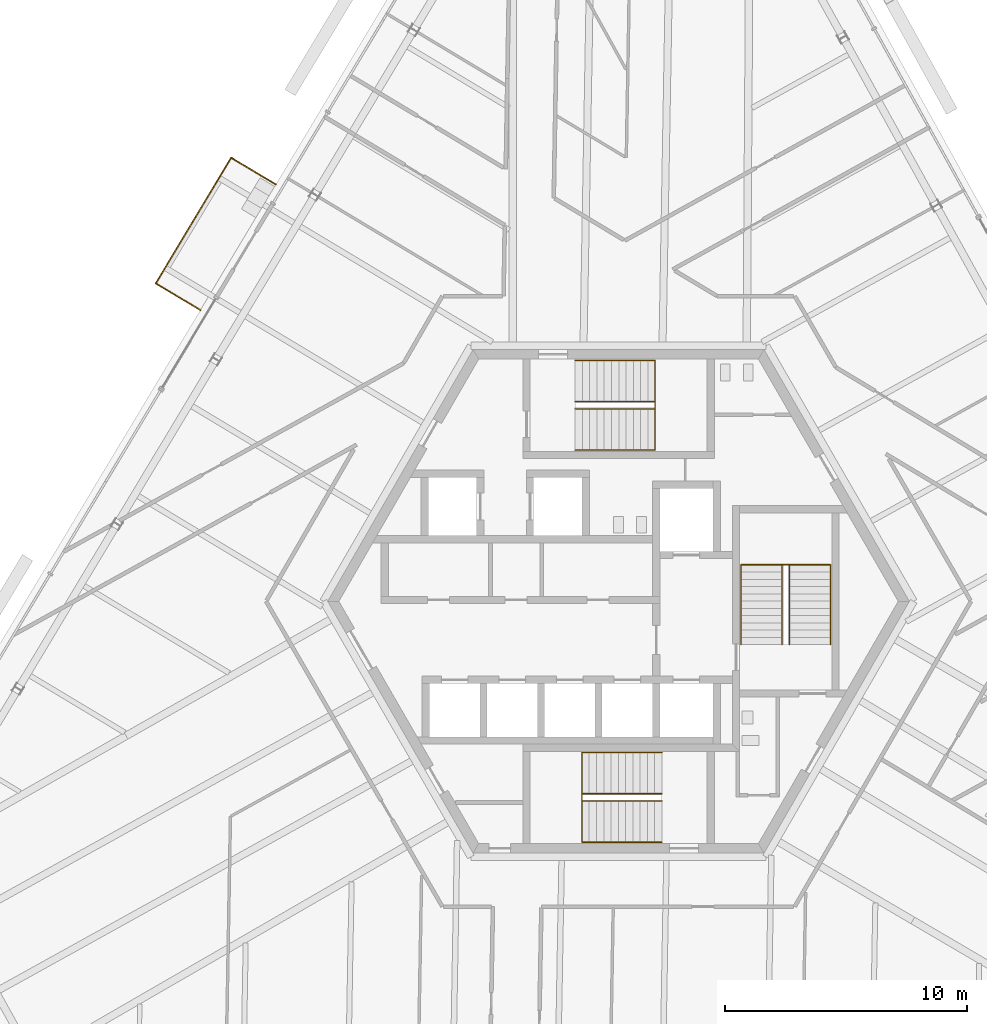
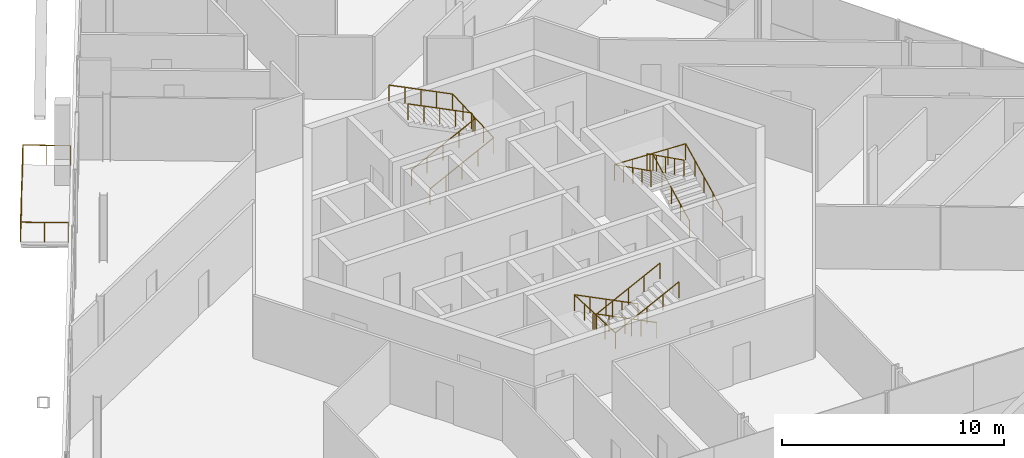
# One storey, part 16 of 19: 7 railings.
"""IFC4 building model written with IfcOpenShell, lengths in metres."""

from ifc_helpers import new_model, si_unit, direction, frame, origin, origin_2d, place, context, subcontext, project, spatial, circle, extrude, source, transform, mapped, material, type_object, element, save


model = new_model("IFC4")

# Units and contexts
model_context = context("Model", 3, precision=1e-05, world=origin(), true_north=direction((0.0, 1.0)))
body_context = subcontext(model_context, "Body", "Model", "MODEL_VIEW")
ifc_project = project(units=[si_unit("LENGTHUNIT", "METRE"), si_unit("AREAUNIT", "SQUARE_METRE"), si_unit("VOLUMEUNIT", "CUBIC_METRE"), si_unit("PLANEANGLEUNIT", "RADIAN"), si_unit("MASSUNIT", "GRAM", prefix="KILO")], contexts=[model_context])

# Site, building, storey
site_placement = place(None, origin())
site = spatial("IfcSite", under=ifc_project, at=site_placement, CompositionType="ELEMENT")
building_placement = place(site_placement, origin())
building = spatial("IfcBuilding", under=site, at=building_placement, Name="Triune Harvest Tower", CompositionType="ELEMENT")
storey_placement = place(building_placement, frame((0.0, 0.0, 205.10009765625)))
storey = spatial("IfcBuildingStorey", under=building, at=storey_placement, Name="L53", CompositionType="ELEMENT", Elevation=205.10009765625)

# Railings
ifc_material_1 = material(Name="Glass", Category="glass")
railing_type_1 = type_object("IfcRailingType", Name="GD-2 balcony guard 1100", PredefinedType="GUARDRAIL", material=ifc_material_1)
railing_1_placement = place(storey_placement, frame((-14.138427734375, 17.198974609375, 0.0)))
element("IfcRailing", 1, at=railing_1_placement, inside=storey, type_object=railing_type_1, Name="Balcony guard B5-F3 L53.5", PredefinedType="GUARDRAIL", context=body_context, shape_type="SweptSolid", body=[
    extrude(circle(Radius=0.02392578125, at=origin_2d()), frame((0.0, 0.0, 1.076171875), z_axis=(-0.857171813398, 0.515030564448, 0.0), x_axis=(-0.515030564448, -0.857171813398, 0.0)), (0.0, 0.0, 1.0), 2.14794921875),
    extrude(circle(Radius=0.02392578125, at=origin_2d()), frame((-1.841064453125, 1.106201171875, 1.076171875), z_axis=(-0.515041749203, -0.857165092953, 0.0), x_axis=(0.857165092953, -0.515041749203, 0.0)), (0.0, 0.0, 1.0), 6.048583984375),
    extrude(circle(Radius=0.02392578125, at=origin_2d()), frame((-4.956298828125, -4.078369140625, 1.076171875), z_axis=(0.857121631208, -0.51511407408, 0.0), x_axis=(0.51511407408, 0.857121631208, 0.0)), (0.0, 0.0, 1.0), 2.14794921875),
    extrude(circle(Radius=0.02099609375, at=origin_2d()), origin(), (0.0, 0.0, 1.0), 1.052001953125),
    extrude(circle(Radius=0.02099609375, at=origin_2d()), frame((-0.92041015625, 0.55322265625, 0.0)), (0.0, 0.0, 1.0), 1.052001953125),
    extrude(circle(Radius=0.02099609375, at=origin_2d()), frame((-1.841064453125, 1.106201171875, 0.0)), (0.0, 0.0, 1.0), 1.052001953125),
    extrude(circle(Radius=0.02099609375, at=origin_2d()), frame((-2.3603515625, 0.2421875, 0.0)), (0.0, 0.0, 1.0), 1.052001953125),
    extrude(circle(Radius=0.02099609375, at=origin_2d()), frame((-2.87939453125, -0.6220703125, 0.0)), (0.0, 0.0, 1.0), 1.052001953125),
    extrude(circle(Radius=0.02099609375, at=origin_2d()), frame((-3.398681640625, -1.486083984375, 0.0)), (0.0, 0.0, 1.0), 1.052001953125),
    extrude(circle(Radius=0.02099609375, at=origin_2d()), frame((-3.91796875, -2.35009765625, 0.0)), (0.0, 0.0, 1.0), 1.052001953125),
    extrude(circle(Radius=0.02099609375, at=origin_2d()), frame((-4.43701171875, -3.21435546875, 0.0)), (0.0, 0.0, 1.0), 1.052001953125),
    extrude(circle(Radius=0.02099609375, at=origin_2d()), frame((-4.956298828125, -4.078369140625, 0.0)), (0.0, 0.0, 1.0), 1.052001953125),
    extrude(circle(Radius=0.02099609375, at=origin_2d()), frame((-4.03564453125, -4.631591796875, 0.0)), (0.0, 0.0, 1.0), 1.052001953125),
    extrude(circle(Radius=0.02099609375, at=origin_2d()), frame((-3.115234375, -5.184814453125, 0.0)), (0.0, 0.0, 1.0), 1.052001953125),
])
ifc_material_2 = material(Name="Stainless steel AISI 316", Category="steel")
railing_type_2 = type_object("IfcRailingType", Name="Stair handrail", PredefinedType="HANDRAIL", material=ifc_material_2)
shared_shape_1 = source(origin(), body_context, "Body", "SweptSolid", [
    extrude(circle(Radius=0.02392578125, at=origin_2d()), frame((0.0, 0.0, 0.8759765625), z_axis=(0.894440424912, 0.0, 0.447187126696), x_axis=(0.0, 1.0, 0.0)), (0.0, 0.0, 1.0), 3.689453125),
    extrude(circle(Radius=0.02392578125, at=origin_2d()), frame((3.300048828125, 0.0, 2.52587890625), z_axis=(0.0, 0.999177620331, 0.040547293732), x_axis=(-1.0, 0.0, 0.0)), (0.0, 0.0, 1.0), 3.702880859375),
    extrude(circle(Radius=0.02392578125, at=origin_2d()), frame((3.300048828125, 3.699951171875, 2.67578125), z_axis=(-0.894440424912, 0.0, 0.447187126696), x_axis=(0.0, -1.0, 0.0)), (0.0, 0.0, 1.0), 3.689453125),
    extrude(circle(Radius=0.02099609375, at=origin_2d()), origin(), (0.0, 0.0, 1.0), 0.851806640625),
    extrude(circle(Radius=0.02099609375, at=origin_2d()), frame((0.824951171875, 0.0, 0.41259765625)), (0.0, 0.0, 1.0), 0.851806640625),
    extrude(circle(Radius=0.02099609375, at=origin_2d()), frame((1.64990234375, 0.0, 0.824951171875)), (0.0, 0.0, 1.0), 0.851806640625),
    extrude(circle(Radius=0.02099609375, at=origin_2d()), frame((2.47509765625, 0.0, 1.2373046875)), (0.0, 0.0, 1.0), 0.851806640625),
    extrude(circle(Radius=0.02099609375, at=origin_2d()), frame((3.300048828125, 0.0, 1.64990234375)), (0.0, 0.0, 1.0), 0.851806640625),
    extrude(circle(Radius=0.02099609375, at=origin_2d()), frame((3.300048828125, 0.925048828125, 1.6875)), (0.0, 0.0, 1.0), 0.851806640625),
    extrude(circle(Radius=0.02099609375, at=origin_2d()), frame((3.300048828125, 1.85009765625, 1.72509765625)), (0.0, 0.0, 1.0), 0.851806640625),
    extrude(circle(Radius=0.02099609375, at=origin_2d()), frame((3.300048828125, 2.77490234375, 1.762451171875)), (0.0, 0.0, 1.0), 0.851806640625),
    extrude(circle(Radius=0.02099609375, at=origin_2d()), frame((3.300048828125, 3.699951171875, 1.800048828125)), (0.0, 0.0, 1.0), 0.851806640625),
    extrude(circle(Radius=0.02099609375, at=origin_2d()), frame((2.47509765625, 3.699951171875, 2.21240234375)), (0.0, 0.0, 1.0), 0.851806640625),
    extrude(circle(Radius=0.02099609375, at=origin_2d()), frame((1.64990234375, 3.699951171875, 2.625)), (0.0, 0.0, 1.0), 0.851806640625),
    extrude(circle(Radius=0.02099609375, at=origin_2d()), frame((0.824951171875, 3.699951171875, 3.03759765625)), (0.0, 0.0, 1.0), 0.851806640625),
    extrude(circle(Radius=0.02099609375, at=origin_2d()), frame((0.0, 3.699951171875, 3.449951171875)), (0.0, 0.0, 1.0), 0.851806640625),
])
railing_2_placement = place(storey_placement, frame((-1.7900390625, 6.239990234375, 0.14990234375)))
element("IfcRailing", 2, at=railing_2_placement, inside=storey, type_object=railing_type_2, Name="Exit stair north wall handrail", PredefinedType="HANDRAIL", context=body_context, shape_type="MappedRepresentation", body=[
    mapped(shared_shape_1, transform((0.0, 0.0, 0.0), scale=1.0)),
])
shared_shape_2 = source(origin(), body_context, "Body", "SweptSolid", [
    extrude(circle(Radius=0.02392578125, at=origin_2d()), frame((0.0, 0.0, 0.8759765625), z_axis=(0.894440424912, 0.0, 0.447187126696), x_axis=(0.0, 1.0, 0.0)), (0.0, 0.0, 1.0), 3.689453125),
    extrude(circle(Radius=0.02392578125, at=origin_2d()), frame((3.300048828125, 0.0, 2.52587890625), z_axis=(0.0, 0.894281613681, 0.447504631744), x_axis=(-1.0, 0.0, 0.0)), (0.0, 0.0, 1.0), 0.33544921875),
    extrude(circle(Radius=0.02392578125, at=origin_2d()), frame((3.300048828125, 0.300048828125, 2.67578125), z_axis=(-0.894440424912, 0.0, 0.447187126696), x_axis=(0.0, -1.0, 0.0)), (0.0, 0.0, 1.0), 3.689453125),
    extrude(circle(Radius=0.02099609375, at=origin_2d()), origin(), (0.0, 0.0, 1.0), 0.851806640625),
    extrude(circle(Radius=0.02099609375, at=origin_2d()), frame((0.824951171875, 0.0, 0.41259765625)), (0.0, 0.0, 1.0), 0.851806640625),
    extrude(circle(Radius=0.02099609375, at=origin_2d()), frame((1.64990234375, 0.0, 0.824951171875)), (0.0, 0.0, 1.0), 0.851806640625),
    extrude(circle(Radius=0.02099609375, at=origin_2d()), frame((2.47509765625, 0.0, 1.2373046875)), (0.0, 0.0, 1.0), 0.851806640625),
    extrude(circle(Radius=0.02099609375, at=origin_2d()), frame((3.300048828125, 0.0, 1.64990234375)), (0.0, 0.0, 1.0), 0.851806640625),
    extrude(circle(Radius=0.02099609375, at=origin_2d()), frame((3.300048828125, 0.300048828125, 1.800048828125)), (0.0, 0.0, 1.0), 0.851806640625),
    extrude(circle(Radius=0.02099609375, at=origin_2d()), frame((2.47509765625, 0.300048828125, 2.21240234375)), (0.0, 0.0, 1.0), 0.851806640625),
    extrude(circle(Radius=0.02099609375, at=origin_2d()), frame((1.64990234375, 0.300048828125, 2.625)), (0.0, 0.0, 1.0), 0.851806640625),
    extrude(circle(Radius=0.02099609375, at=origin_2d()), frame((0.824951171875, 0.300048828125, 3.03759765625)), (0.0, 0.0, 1.0), 0.851806640625),
    extrude(circle(Radius=0.02099609375, at=origin_2d()), frame((0.0, 0.300048828125, 3.449951171875)), (0.0, 0.0, 1.0), 0.851806640625),
])
railing_3_placement = place(storey_placement, frame((-1.7900390625, 7.93994140625, 0.14990234375)))
element("IfcRailing", 3, at=railing_3_placement, inside=storey, type_object=railing_type_2, Name="Exit stair north centre handrail", PredefinedType="HANDRAIL", context=body_context, shape_type="MappedRepresentation", body=[
    mapped(shared_shape_2, transform((0.0, 0.0, 0.0), scale=1.0)),
])
shared_shape_3 = source(origin(), body_context, "Body", "SweptSolid", [
    extrude(circle(Radius=0.02392578125, at=origin_2d()), frame((0.0, 0.0, 0.8759765625), z_axis=(-0.894440424912, 0.0, 0.447187126696), x_axis=(0.0, -1.0, 0.0)), (0.0, 0.0, 1.0), 3.689453125),
    extrude(circle(Radius=0.02392578125, at=origin_2d()), frame((-3.300048828125, 0.0, 2.52587890625), z_axis=(0.0, -0.999177620331, 0.040547293732), x_axis=(1.0, 0.0, 0.0)), (0.0, 0.0, 1.0), 3.702880859375),
    extrude(circle(Radius=0.02392578125, at=origin_2d()), frame((-3.300048828125, -3.699951171875, 2.67578125), z_axis=(0.894440424912, 0.0, 0.447187126696), x_axis=(0.0, 1.0, 0.0)), (0.0, 0.0, 1.0), 3.689453125),
    extrude(circle(Radius=0.02099609375, at=origin_2d()), origin(), (0.0, 0.0, 1.0), 0.851806640625),
    extrude(circle(Radius=0.02099609375, at=origin_2d()), frame((-0.824951171875, 0.0, 0.41259765625)), (0.0, 0.0, 1.0), 0.851806640625),
    extrude(circle(Radius=0.02099609375, at=origin_2d()), frame((-1.64990234375, 0.0, 0.824951171875)), (0.0, 0.0, 1.0), 0.851806640625),
    extrude(circle(Radius=0.02099609375, at=origin_2d()), frame((-2.47509765625, 0.0, 1.2373046875)), (0.0, 0.0, 1.0), 0.851806640625),
    extrude(circle(Radius=0.02099609375, at=origin_2d()), frame((-3.300048828125, 0.0, 1.64990234375)), (0.0, 0.0, 1.0), 0.851806640625),
    extrude(circle(Radius=0.02099609375, at=origin_2d()), frame((-3.300048828125, -0.925048828125, 1.6875)), (0.0, 0.0, 1.0), 0.851806640625),
    extrude(circle(Radius=0.02099609375, at=origin_2d()), frame((-3.300048828125, -1.85009765625, 1.72509765625)), (0.0, 0.0, 1.0), 0.851806640625),
    extrude(circle(Radius=0.02099609375, at=origin_2d()), frame((-3.300048828125, -2.77490234375, 1.762451171875)), (0.0, 0.0, 1.0), 0.851806640625),
    extrude(circle(Radius=0.02099609375, at=origin_2d()), frame((-3.300048828125, -3.699951171875, 1.800048828125)), (0.0, 0.0, 1.0), 0.851806640625),
    extrude(circle(Radius=0.02099609375, at=origin_2d()), frame((-2.47509765625, -3.699951171875, 2.21240234375)), (0.0, 0.0, 1.0), 0.851806640625),
    extrude(circle(Radius=0.02099609375, at=origin_2d()), frame((-1.64990234375, -3.699951171875, 2.625)), (0.0, 0.0, 1.0), 0.851806640625),
    extrude(circle(Radius=0.02099609375, at=origin_2d()), frame((-0.824951171875, -3.699951171875, 3.03759765625)), (0.0, 0.0, 1.0), 0.851806640625),
    extrude(circle(Radius=0.02099609375, at=origin_2d()), frame((0.0, -3.699951171875, 3.449951171875)), (0.0, 0.0, 1.0), 0.851806640625),
])
railing_4_placement = place(storey_placement, frame((1.7900390625, -6.239990234375, 0.14990234375)))
element("IfcRailing", 4, at=railing_4_placement, inside=storey, type_object=railing_type_2, Name="Exit stair south wall handrail", PredefinedType="HANDRAIL", context=body_context, shape_type="MappedRepresentation", body=[
    mapped(shared_shape_3, transform((0.0, 0.0, 0.0), scale=1.0)),
])
shared_shape_4 = source(origin(), body_context, "Body", "SweptSolid", [
    extrude(circle(Radius=0.02392578125, at=origin_2d()), frame((0.0, 0.0, 0.8759765625), z_axis=(-0.894440424912, 0.0, 0.447187126696), x_axis=(0.0, -1.0, 0.0)), (0.0, 0.0, 1.0), 3.689453125),
    extrude(circle(Radius=0.02392578125, at=origin_2d()), frame((-3.300048828125, 0.0, 2.52587890625), z_axis=(0.0, -0.894281613681, 0.447504631744), x_axis=(1.0, 0.0, 0.0)), (0.0, 0.0, 1.0), 0.33544921875),
    extrude(circle(Radius=0.02392578125, at=origin_2d()), frame((-3.300048828125, -0.300048828125, 2.67578125), z_axis=(0.894440424912, 0.0, 0.447187126696), x_axis=(0.0, 1.0, 0.0)), (0.0, 0.0, 1.0), 3.689453125),
    extrude(circle(Radius=0.02099609375, at=origin_2d()), origin(), (0.0, 0.0, 1.0), 0.851806640625),
    extrude(circle(Radius=0.02099609375, at=origin_2d()), frame((-0.824951171875, 0.0, 0.41259765625)), (0.0, 0.0, 1.0), 0.851806640625),
    extrude(circle(Radius=0.02099609375, at=origin_2d()), frame((-1.64990234375, 0.0, 0.824951171875)), (0.0, 0.0, 1.0), 0.851806640625),
    extrude(circle(Radius=0.02099609375, at=origin_2d()), frame((-2.47509765625, 0.0, 1.2373046875)), (0.0, 0.0, 1.0), 0.851806640625),
    extrude(circle(Radius=0.02099609375, at=origin_2d()), frame((-3.300048828125, 0.0, 1.64990234375)), (0.0, 0.0, 1.0), 0.851806640625),
    extrude(circle(Radius=0.02099609375, at=origin_2d()), frame((-3.300048828125, -0.300048828125, 1.800048828125)), (0.0, 0.0, 1.0), 0.851806640625),
    extrude(circle(Radius=0.02099609375, at=origin_2d()), frame((-2.47509765625, -0.300048828125, 2.21240234375)), (0.0, 0.0, 1.0), 0.851806640625),
    extrude(circle(Radius=0.02099609375, at=origin_2d()), frame((-1.64990234375, -0.300048828125, 2.625)), (0.0, 0.0, 1.0), 0.851806640625),
    extrude(circle(Radius=0.02099609375, at=origin_2d()), frame((-0.824951171875, -0.300048828125, 3.03759765625)), (0.0, 0.0, 1.0), 0.851806640625),
    extrude(circle(Radius=0.02099609375, at=origin_2d()), frame((0.0, -0.300048828125, 3.449951171875)), (0.0, 0.0, 1.0), 0.851806640625),
])
railing_5_placement = place(storey_placement, frame((1.7900390625, -7.93994140625, 0.14990234375)))
element("IfcRailing", 5, at=railing_5_placement, inside=storey, type_object=railing_type_2, Name="Exit stair south centre handrail", PredefinedType="HANDRAIL", context=body_context, shape_type="MappedRepresentation", body=[
    mapped(shared_shape_4, transform((0.0, 0.0, 0.0), scale=1.0)),
])
shared_shape_5 = source(origin(), body_context, "Body", "SweptSolid", [
    extrude(circle(Radius=0.02392578125, at=origin_2d()), frame((0.0, 0.0, 0.8759765625), z_axis=(0.0, 0.894440424912, 0.447187126696), x_axis=(-1.0, 0.0, 0.0)), (0.0, 0.0, 1.0), 3.689453125),
    extrude(circle(Radius=0.02392578125, at=origin_2d()), frame((0.0, 3.300048828125, 2.52587890625), z_axis=(-0.999177620331, 0.0, 0.040547293732), x_axis=(0.0, -1.0, 0.0)), (0.0, 0.0, 1.0), 3.702880859375),
    extrude(circle(Radius=0.02392578125, at=origin_2d()), frame((-3.699951171875, 3.300048828125, 2.67578125), z_axis=(0.0, -0.894440424912, 0.447187126696), x_axis=(1.0, 0.0, 0.0)), (0.0, 0.0, 1.0), 3.689453125),
    extrude(circle(Radius=0.02099609375, at=origin_2d()), origin(), (0.0, 0.0, 1.0), 0.851806640625),
    extrude(circle(Radius=0.02099609375, at=origin_2d()), frame((0.0, 0.824951171875, 0.41259765625)), (0.0, 0.0, 1.0), 0.851806640625),
    extrude(circle(Radius=0.02099609375, at=origin_2d()), frame((0.0, 1.64990234375, 0.824951171875)), (0.0, 0.0, 1.0), 0.851806640625),
    extrude(circle(Radius=0.02099609375, at=origin_2d()), frame((0.0, 2.47509765625, 1.2373046875)), (0.0, 0.0, 1.0), 0.851806640625),
    extrude(circle(Radius=0.02099609375, at=origin_2d()), frame((0.0, 3.300048828125, 1.64990234375)), (0.0, 0.0, 1.0), 0.851806640625),
    extrude(circle(Radius=0.02099609375, at=origin_2d()), frame((-0.925048828125, 3.300048828125, 1.6875)), (0.0, 0.0, 1.0), 0.851806640625),
    extrude(circle(Radius=0.02099609375, at=origin_2d()), frame((-1.85009765625, 3.300048828125, 1.72509765625)), (0.0, 0.0, 1.0), 0.851806640625),
    extrude(circle(Radius=0.02099609375, at=origin_2d()), frame((-2.77490234375, 3.300048828125, 1.762451171875)), (0.0, 0.0, 1.0), 0.851806640625),
    extrude(circle(Radius=0.02099609375, at=origin_2d()), frame((-3.699951171875, 3.300048828125, 1.800048828125)), (0.0, 0.0, 1.0), 0.851806640625),
    extrude(circle(Radius=0.02099609375, at=origin_2d()), frame((-3.699951171875, 2.47509765625, 2.21240234375)), (0.0, 0.0, 1.0), 0.851806640625),
    extrude(circle(Radius=0.02099609375, at=origin_2d()), frame((-3.699951171875, 1.64990234375, 2.625)), (0.0, 0.0, 1.0), 0.851806640625),
    extrude(circle(Radius=0.02099609375, at=origin_2d()), frame((-3.699951171875, 0.824951171875, 3.03759765625)), (0.0, 0.0, 1.0), 0.851806640625),
    extrude(circle(Radius=0.02099609375, at=origin_2d()), frame((-3.699951171875, 0.0, 3.449951171875)), (0.0, 0.0, 1.0), 0.851806640625),
])
railing_6_placement = place(storey_placement, frame((8.75, -1.7900390625, 0.14990234375)))
element("IfcRailing", 6, at=railing_6_placement, inside=storey, type_object=railing_type_2, Name="Exit stair east wall handrail", PredefinedType="HANDRAIL", context=body_context, shape_type="MappedRepresentation", body=[
    mapped(shared_shape_5, transform((0.0, 0.0, 0.0), scale=1.0)),
])
shared_shape_6 = source(origin(), body_context, "Body", "SweptSolid", [
    extrude(circle(Radius=0.02392578125, at=origin_2d()), frame((0.0, 0.0, 0.8759765625), z_axis=(0.0, 0.894440424912, 0.447187126696), x_axis=(-1.0, 0.0, 0.0)), (0.0, 0.0, 1.0), 3.689453125),
    extrude(circle(Radius=0.02392578125, at=origin_2d()), frame((0.0, 3.300048828125, 2.52587890625), z_axis=(-0.894281613681, 0.0, 0.447504631744), x_axis=(0.0, -1.0, 0.0)), (0.0, 0.0, 1.0), 0.33544921875),
    extrude(circle(Radius=0.02392578125, at=origin_2d()), frame((-0.300048828125, 3.300048828125, 2.67578125), z_axis=(0.0, -0.894440424912, 0.447187126696), x_axis=(1.0, 0.0, 0.0)), (0.0, 0.0, 1.0), 3.689453125),
    extrude(circle(Radius=0.02099609375, at=origin_2d()), origin(), (0.0, 0.0, 1.0), 0.851806640625),
    extrude(circle(Radius=0.02099609375, at=origin_2d()), frame((0.0, 0.824951171875, 0.41259765625)), (0.0, 0.0, 1.0), 0.851806640625),
    extrude(circle(Radius=0.02099609375, at=origin_2d()), frame((0.0, 1.64990234375, 0.824951171875)), (0.0, 0.0, 1.0), 0.851806640625),
    extrude(circle(Radius=0.02099609375, at=origin_2d()), frame((0.0, 2.47509765625, 1.2373046875)), (0.0, 0.0, 1.0), 0.851806640625),
    extrude(circle(Radius=0.02099609375, at=origin_2d()), frame((0.0, 3.300048828125, 1.64990234375)), (0.0, 0.0, 1.0), 0.851806640625),
    extrude(circle(Radius=0.02099609375, at=origin_2d()), frame((-0.300048828125, 3.300048828125, 1.800048828125)), (0.0, 0.0, 1.0), 0.851806640625),
    extrude(circle(Radius=0.02099609375, at=origin_2d()), frame((-0.300048828125, 2.47509765625, 2.21240234375)), (0.0, 0.0, 1.0), 0.851806640625),
    extrude(circle(Radius=0.02099609375, at=origin_2d()), frame((-0.300048828125, 1.64990234375, 2.625)), (0.0, 0.0, 1.0), 0.851806640625),
    extrude(circle(Radius=0.02099609375, at=origin_2d()), frame((-0.300048828125, 0.824951171875, 3.03759765625)), (0.0, 0.0, 1.0), 0.851806640625),
    extrude(circle(Radius=0.02099609375, at=origin_2d()), frame((-0.300048828125, 0.0, 3.449951171875)), (0.0, 0.0, 1.0), 0.851806640625),
])
railing_7_placement = place(storey_placement, frame((7.050048828125, -1.7900390625, 0.14990234375)))
element("IfcRailing", 7, at=railing_7_placement, inside=storey, type_object=railing_type_2, Name="Exit stair east centre handrail", PredefinedType="HANDRAIL", context=body_context, shape_type="MappedRepresentation", body=[
    mapped(shared_shape_6, transform((0.0, 0.0, 0.0), scale=1.0)),
])

save(model, "model.ifc")
